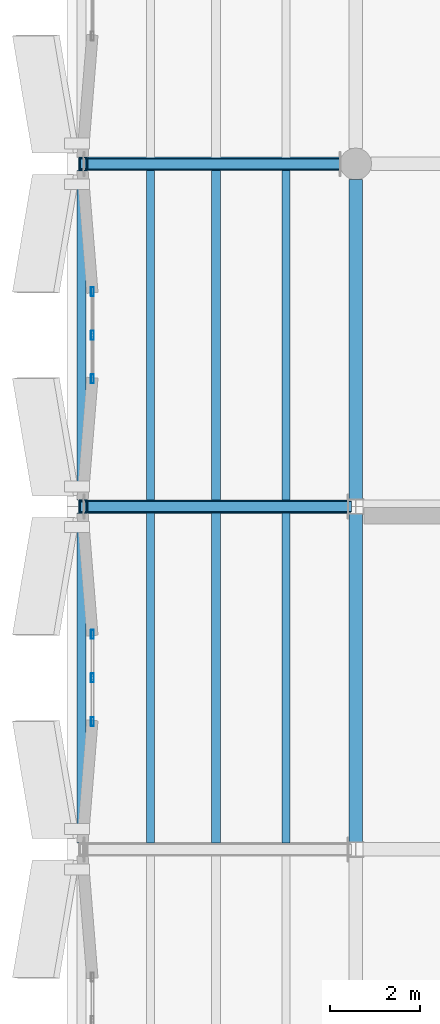
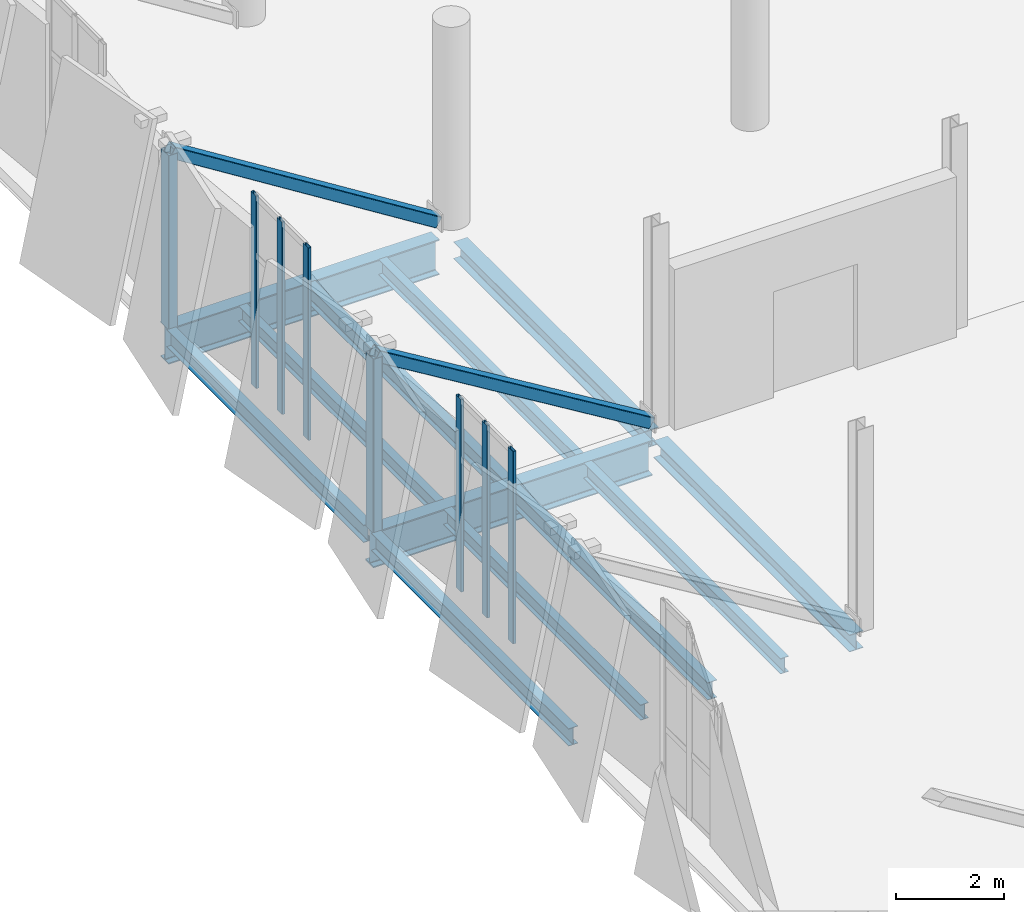
# One storey, part 11 of 74: 12 beams, 10 members, 2 elements without a shape of their own.
"""IFC4 building model written with IfcOpenShell, lengths in metres."""

from ifc_helpers import new_model, si_unit, direction, frame, origin, origin_2d, place, context, subcontext, project, spatial, hollow_rectangle, i_section, extrude, material, material_profile, profile_set, type_object, element, aggregate, save


model = new_model("IFC4")

# Units and contexts
model_context = context("Model", 3, precision=1e-05, world=origin(), true_north=direction((0.0, 1.0)))
body_context = subcontext(model_context, "Body", "Model", "MODEL_VIEW")
ifc_project = project(units=[si_unit("LENGTHUNIT", "METRE"), si_unit("AREAUNIT", "SQUARE_METRE"), si_unit("VOLUMEUNIT", "CUBIC_METRE"), si_unit("PLANEANGLEUNIT", "RADIAN"), si_unit("MASSUNIT", "GRAM", prefix="KILO")], contexts=[model_context])

# Site, building, storey
site_placement = place(None, origin())
site = spatial("IfcSite", under=ifc_project, at=site_placement, CompositionType="ELEMENT")
building_placement = place(site_placement, origin())
building = spatial("IfcBuilding", under=site, at=building_placement, Name="Shengluoqiao Park Theatre", CompositionType="ELEMENT")
storey_placement = place(building_placement, frame((0.0, 0.0, 14.60009765625)))
storey = spatial("IfcBuildingStorey", under=building, at=storey_placement, Name="L03", CompositionType="ELEMENT", Elevation=14.60009765625)

# Curtain wall, members
ifc_material_1 = material(Name="Aluminium 6063-T6", Category="aluminium")
curtain_wall_type_1 = type_object("IfcCurtainWallType", Name="ENV-CW-STUDIO", PredefinedType="NOTDEFINED", material=ifc_material_1)
curtain_wall_1_placement = place(storey_placement, origin())
curtain_wall_1 = element("IfcCurtainWall", 1, at=curtain_wall_1_placement, inside=storey, type_object=curtain_wall_type_1, Name="L03 Curtain Wall CW-L03-SLIT-0246", PredefinedType="NOTDEFINED")
ifc_material_profile_1 = material_profile(ifc_material_1, hollow_rectangle(XDim=0.06494140625, YDim=0.199951171875, WallThickness=0.0048828125, InnerFilletRadius=0.0048828125, OuterFilletRadius=0.010009765625, at=origin_2d()), Name="ALU MULLION 200x65x5")
ifc_profile_set_1 = profile_set([ifc_material_profile_1], Name="Aluminium 6063-T6")
member_type_1 = type_object("IfcMemberType", Name="ENV-MUL-200", PredefinedType="MULLION", material=ifc_profile_set_1)
member_1_placement = place(storey_placement, frame((0.56005859375, 48.4326171875, 0.0), z_axis=(0.0, 0.0, 1.0), x_axis=(-1.0, 0.0, 0.0)))
member_1 = element("IfcMember", 2, at=member_1_placement, type_object=member_type_1, Name="CW-02 mullion 1", PredefinedType="MULLION", context=body_context, shape_type="SweptSolid", body=[
    extrude(hollow_rectangle(XDim=0.06494140625, YDim=0.199951171875, WallThickness=0.0048828125, InnerFilletRadius=0.0048828125, OuterFilletRadius=0.010009765625, at=origin_2d()), origin(), (0.0, 0.0, 1.0), 4.35986328125),
])
member_2_placement = place(storey_placement, frame((0.56005859375, 49.39990234375, 0.0), z_axis=(0.0, 0.0, 1.0), x_axis=(-1.0, 0.0, 0.0)))
member_2 = element("IfcMember", 3, at=member_2_placement, type_object=member_type_1, Name="CW-02 mullion 2", PredefinedType="MULLION", context=body_context, shape_type="SweptSolid", body=[
    extrude(hollow_rectangle(XDim=0.06494140625, YDim=0.199951171875, WallThickness=0.0048828125, InnerFilletRadius=0.0048828125, OuterFilletRadius=0.010009765625, at=origin_2d()), origin(), (0.0, 0.0, 1.0), 4.35986328125),
])
member_3_placement = place(storey_placement, frame((0.56005859375, 50.367431640625, 0.0), z_axis=(0.0, 0.0, 1.0), x_axis=(-1.0, 0.0, 0.0)))
member_3 = element("IfcMember", 4, at=member_3_placement, type_object=member_type_1, Name="CW-02 mullion 3", PredefinedType="MULLION", context=body_context, shape_type="SweptSolid", body=[
    extrude(hollow_rectangle(XDim=0.06494140625, YDim=0.199951171875, WallThickness=0.0048828125, InnerFilletRadius=0.0048828125, OuterFilletRadius=0.010009765625, at=origin_2d()), origin(), (0.0, 0.0, 1.0), 4.35986328125),
])
aggregate(curtain_wall_1, [member_1, member_2, member_3])

curtain_wall_type_2 = type_object("IfcCurtainWallType", Name="ENV-CW-FOYER", PredefinedType="NOTDEFINED", material=ifc_material_1)
curtain_wall_2_placement = place(storey_placement, origin())
curtain_wall_2 = element("IfcCurtainWall", 5, at=curtain_wall_2_placement, inside=storey, type_object=curtain_wall_type_2, Name="L03 Curtain Wall CW-L03-SLIT-0247", PredefinedType="NOTDEFINED")
member_4_placement = place(storey_placement, frame((0.56005859375, 56.032470703125, 0.0), z_axis=(0.0, 0.0, 1.0), x_axis=(-1.0, 0.0, 0.0)))
member_4 = element("IfcMember", 6, at=member_4_placement, type_object=member_type_1, Name="CW-01 mullion 1", PredefinedType="MULLION", context=body_context, shape_type="SweptSolid", body=[
    extrude(hollow_rectangle(XDim=0.06494140625, YDim=0.199951171875, WallThickness=0.0048828125, InnerFilletRadius=0.0048828125, OuterFilletRadius=0.010009765625, at=origin_2d()), origin(), (0.0, 0.0, 1.0), 4.35986328125),
])
member_5_placement = place(storey_placement, frame((0.56005859375, 57.0, 0.0), z_axis=(0.0, 0.0, 1.0), x_axis=(-1.0, 0.0, 0.0)))
member_5 = element("IfcMember", 7, at=member_5_placement, type_object=member_type_1, Name="CW-01 mullion 2", PredefinedType="MULLION", context=body_context, shape_type="SweptSolid", body=[
    extrude(hollow_rectangle(XDim=0.06494140625, YDim=0.199951171875, WallThickness=0.0048828125, InnerFilletRadius=0.0048828125, OuterFilletRadius=0.010009765625, at=origin_2d()), origin(), (0.0, 0.0, 1.0), 4.35986328125),
])
member_6_placement = place(storey_placement, frame((0.56005859375, 57.967529296875, 0.0), z_axis=(0.0, 0.0, 1.0), x_axis=(-1.0, 0.0, 0.0)))
member_6 = element("IfcMember", 8, at=member_6_placement, type_object=member_type_1, Name="CW-01 mullion 3", PredefinedType="MULLION", context=body_context, shape_type="SweptSolid", body=[
    extrude(hollow_rectangle(XDim=0.06494140625, YDim=0.199951171875, WallThickness=0.0048828125, InnerFilletRadius=0.0048828125, OuterFilletRadius=0.010009765625, at=origin_2d()), origin(), (0.0, 0.0, 1.0), 4.35986328125),
])
aggregate(curtain_wall_2, [member_4, member_5, member_6])

# Beams
ifc_material_2 = material(Name="Steel Q355", Category="steel")
ifc_material_profile_2 = material_profile(ifc_material_2, i_section(OverallWidth=0.300048828125, OverallDepth=0.389892578125, WebThickness=0.010009765625, FlangeThickness=0.01611328125, FilletRadius=0.01806640625, at=origin_2d()), Name="HM 390x300x10x16")
ifc_profile_set_2 = profile_set([ifc_material_profile_2], Name="Steel Q355")
beam_type_1 = type_object("IfcBeamType", Name="STR-BM-G-HM390", PredefinedType="BEAM", material=ifc_profile_set_2)
beam_1_placement = place(storey_placement, frame((6.39990234375, 45.76611328125, -0.43505859375), z_axis=(0.0, 1.0, 0.0), x_axis=(-1.0, 0.0, 0.0)))
element("IfcBeam", 9, at=beam_1_placement, inside=storey, type_object=beam_type_1, Name="L03 Transverse Girder 01292", PredefinedType="BEAM", context=body_context, shape_type="SweptSolid", body=[
    extrude(i_section(OverallWidth=0.300048828125, OverallDepth=0.389892578125, WebThickness=0.010009765625, FlangeThickness=0.01611328125, FilletRadius=0.01806640625, at=origin_2d()), origin(), (0.0, 0.0, 1.0), 7.267822265625),
])
beam_2_placement = place(storey_placement, frame((6.39990234375, 53.365966796875, -0.43505859375), z_axis=(0.0, 1.0, 0.0), x_axis=(-1.0, 0.0, 0.0)))
element("IfcBeam", 10, at=beam_2_placement, inside=storey, type_object=beam_type_1, Name="L03 Transverse Girder 01309", PredefinedType="BEAM", context=body_context, shape_type="SweptSolid", body=[
    extrude(i_section(OverallWidth=0.300048828125, OverallDepth=0.389892578125, WebThickness=0.010009765625, FlangeThickness=0.01611328125, FilletRadius=0.01806640625, at=origin_2d()), origin(), (0.0, 0.0, 1.0), 7.090087890625),
])
ifc_material_3 = material(Name="Steel Q390", Category="steel")
ifc_material_profile_3 = material_profile(ifc_material_3, i_section(OverallWidth=0.300048828125, OverallDepth=0.800048828125, WebThickness=0.013916015625, FlangeThickness=0.02587890625, FilletRadius=0.02587890625, at=origin_2d()), Name="HN 800x300x14x26")
ifc_profile_set_3 = profile_set([ifc_material_profile_3], Name="Steel Q390")
beam_type_2 = type_object("IfcBeamType", Name="STR-BM-G-HN800", PredefinedType="BEAM", material=ifc_profile_set_3)
beam_3_placement = place(storey_placement, frame((0.260009765625, 53.199951171875, -0.64013671875), z_axis=(1.0, 0.0, 0.0), x_axis=(0.0, 1.0, 0.0)))
element("IfcBeam", 11, at=beam_3_placement, inside=storey, type_object=beam_type_2, Name="CT-V3-4 L03 Cantilever Overhang Chord", PredefinedType="BEAM", context=body_context, shape_type="SweptSolid", body=[
    extrude(i_section(OverallWidth=0.300048828125, OverallDepth=0.800048828125, WebThickness=0.013916015625, FlangeThickness=0.02587890625, FilletRadius=0.02587890625, at=origin_2d()), origin(), (0.0, 0.0, 1.0), 5.97802734375),
])
beam_4_placement = place(storey_placement, frame((0.260009765625, 60.800048828125, -0.64013671875), z_axis=(1.0, 0.0, 0.0), x_axis=(0.0, 1.0, 0.0)))
element("IfcBeam", 12, at=beam_4_placement, inside=storey, type_object=beam_type_2, Name="CT-V5-1 L03 Cantilever Overhang Chord", PredefinedType="BEAM", context=body_context, shape_type="SweptSolid", body=[
    extrude(i_section(OverallWidth=0.300048828125, OverallDepth=0.800048828125, WebThickness=0.013916015625, FlangeThickness=0.02587890625, FilletRadius=0.02587890625, at=origin_2d()), origin(), (0.0, 0.0, 1.0), 5.802001953125),
])
ifc_material_profile_4 = material_profile(ifc_material_2, i_section(OverallWidth=0.175048828125, OverallDepth=0.35009765625, WebThickness=0.007080078125, FlangeThickness=0.010986328125, FilletRadius=0.013916015625, at=origin_2d()), Name="HN 350x175x7x11")
ifc_profile_set_4 = profile_set([ifc_material_profile_4], Name="Steel Q355")
beam_type_3 = type_object("IfcBeamType", Name="STR-BM-J-HN350", PredefinedType="JOIST", material=ifc_profile_set_4)
for number, where, z_axis, x_axis, name in (
    (13, (1.85009765625, 45.743896484375, -0.4150390625), (0.0, 1.0, 0.0), (-1.0, 0.0, 0.0), "V3 L03 Cantilever Joist 00024"),
    (14, (4.85009765625, 45.743896484375, -0.4150390625), (0.0, 1.0, 0.0), (-1.0, 0.0, 0.0), "V3 L03 Cantilever Joist 00027"),
    (15, (1.85009765625, 53.343994140625, -0.4150390625), (0.0, 1.0, 0.0), (-1.0, 0.0, 0.0), "V5 L03 Cantilever Joist 03-18"),
    (16, (4.85009765625, 53.343994140625, -0.4150390625), (0.0, 1.0, 0.0), (-1.0, 0.0, 0.0), "V5 L03 Cantilever Joist 00064"),
):
    element("IfcBeam", number, at=place(storey_placement, frame(where, z_axis=z_axis, x_axis=x_axis)), inside=storey, type_object=beam_type_3, Name=name, PredefinedType="JOIST", context=body_context, shape_type="SweptSolid", body=[
        extrude(i_section(OverallWidth=0.175048828125, OverallDepth=0.35009765625, WebThickness=0.007080078125, FlangeThickness=0.010986328125, FilletRadius=0.013916015625, at=origin_2d()), origin(), (0.0, 0.0, 1.0), 7.31201171875),
    ])
ifc_material_profile_5 = material_profile(ifc_material_2, i_section(OverallWidth=0.198974609375, OverallDepth=0.39599609375, WebThickness=0.007080078125, FlangeThickness=0.010986328125, FilletRadius=0.01611328125, at=origin_2d()), Name="HN 396x199x7x11")
ifc_profile_set_5 = profile_set([ifc_material_profile_5], Name="Steel Q355")
beam_type_4 = type_object("IfcBeamType", Name="STR-BM-SP-HN396", PredefinedType="SPANDREL", material=ifc_profile_set_5)
for number, where, z_axis, x_axis, name in (
    (17, (0.320068359375, 45.743896484375, -0.43798828125), (0.0, 1.0, 0.0), (-1.0, 0.0, 0.0), "V3 L03 Cantilever Spandrel 00020"),
    (18, (3.300048828125, 45.743896484375, -0.43798828125), (0.0, 1.0, 0.0), (-1.0, 0.0, 0.0), "V3 L03 Cantilever Spandrel 00022"),
    (19, (0.320068359375, 53.343994140625, -0.43798828125), (0.0, 1.0, 0.0), (-1.0, 0.0, 0.0), "V5 L03 Cantilever Spandrel L03-3"),
    (20, (3.300048828125, 53.343994140625, -0.43798828125), (0.0, 1.0, 0.0), (-1.0, 0.0, 0.0), "V5 L03 Cantilever Spandrel 03-33"),
):
    element("IfcBeam", number, at=place(storey_placement, frame(where, z_axis=z_axis, x_axis=x_axis)), inside=storey, type_object=beam_type_4, Name=name, PredefinedType="SPANDREL", context=body_context, shape_type="SweptSolid", body=[
        extrude(i_section(OverallWidth=0.198974609375, OverallDepth=0.39599609375, WebThickness=0.007080078125, FlangeThickness=0.010986328125, FilletRadius=0.01611328125, at=origin_2d()), origin(), (0.0, 0.0, 1.0), 7.31201171875),
    ])

# Members
ifc_material_profile_6 = material_profile(ifc_material_2, hollow_rectangle(XDim=0.25, YDim=0.25, WallThickness=0.011962890625, InnerFilletRadius=0.011962890625, OuterFilletRadius=0.02392578125, at=origin_2d()), Name="RHS 250x250x12")
ifc_profile_set_6 = profile_set([ifc_material_profile_6], Name="Steel Q355")
member_type_2 = type_object("IfcMemberType", Name="STR-MEM-BRR-250", PredefinedType="BRACE", material=ifc_profile_set_6)
member_7_placement = place(storey_placement, frame((6.240966796875, 53.199951171875, 0.119873046875), z_axis=(-0.854171164294, 0.0, 0.519991944254), x_axis=(0.0, -1.0, 0.0)))
element("IfcMember", 21, at=member_7_placement, inside=storey, type_object=member_type_2, Name="CT-V3-4 L03 Cantilever Raking Strut", PredefinedType="BRACE", context=body_context, shape_type="SweptSolid", body=[
    extrude(hollow_rectangle(XDim=0.25, YDim=0.25, WallThickness=0.011962890625, InnerFilletRadius=0.011962890625, OuterFilletRadius=0.02392578125, at=origin_2d()), origin(), (0.0, 0.0, 1.0), 6.884765625),
])
member_8_placement = place(storey_placement, frame((6.06494140625, 60.800048828125, 0.119873046875), z_axis=(-0.847025493578, 0.0, 0.531552267635), x_axis=(0.0, -1.0, 0.0)))
element("IfcMember", 22, at=member_8_placement, inside=storey, type_object=member_type_2, Name="CT-V5-1 L03 Cantilever Raking Strut", PredefinedType="BRACE", context=body_context, shape_type="SweptSolid", body=[
    extrude(hollow_rectangle(XDim=0.25, YDim=0.25, WallThickness=0.011962890625, InnerFilletRadius=0.011962890625, OuterFilletRadius=0.02392578125, at=origin_2d()), origin(), (0.0, 0.0, 1.0), 6.735107421875),
])
ifc_material_profile_7 = material_profile(ifc_material_3, hollow_rectangle(XDim=0.199951171875, YDim=0.300048828125, WallThickness=0.011962890625, InnerFilletRadius=0.011962890625, OuterFilletRadius=0.02392578125, at=origin_2d()), Name="RHS 300x200x12")
ifc_profile_set_7 = profile_set([ifc_material_profile_7], Name="Steel Q390")
member_type_3 = type_object("IfcMemberType", Name="STR-MEM-PTR-302", PredefinedType="POST", material=ifc_profile_set_7)
for number, where, z_axis, x_axis, name in (
    (23, (0.360107421875, 53.199951171875, -0.260009765625), (0.0, 0.0, 1.0), (1.0, 0.0, 0.0), "CT-V3-4 L03 Cantilever Tip Post"),
    (24, (0.360107421875, 60.800048828125, -0.260009765625), (0.0, 0.0, 1.0), (1.0, 0.0, 0.0), "CT-V5-1 L03 Cantilever Tip Post"),
):
    element("IfcMember", number, at=place(storey_placement, frame(where, z_axis=z_axis, x_axis=x_axis)), inside=storey, type_object=member_type_3, Name=name, PredefinedType="POST", context=body_context, shape_type="SweptSolid", body=[
        extrude(hollow_rectangle(XDim=0.199951171875, YDim=0.300048828125, WallThickness=0.011962890625, InnerFilletRadius=0.011962890625, OuterFilletRadius=0.02392578125, at=origin_2d()), origin(), (0.0, 0.0, 1.0), 3.93994140625),
    ])

save(model, "model.ifc")
